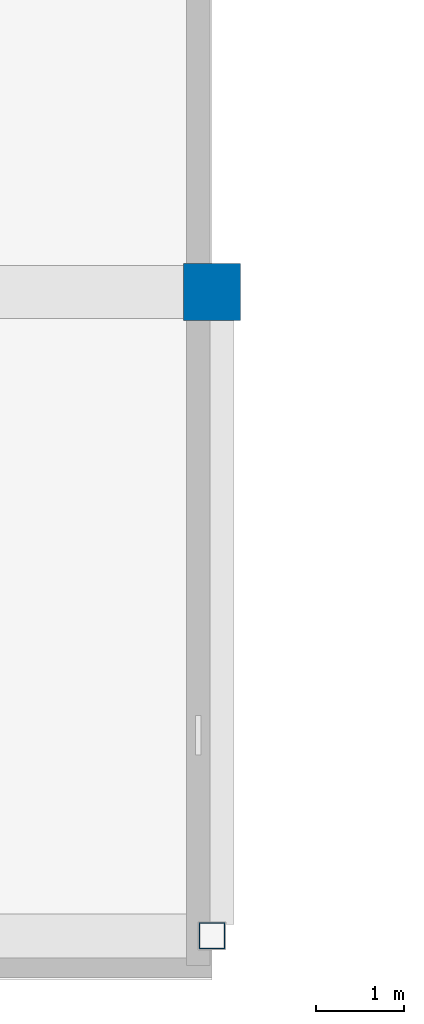
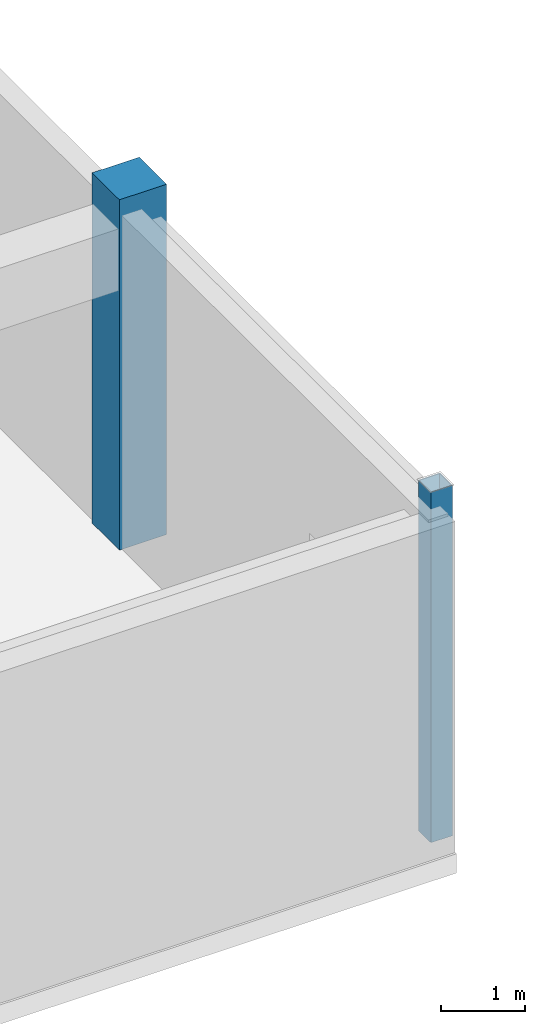
# One storey, part 4 of 103: 2 columns.
"""IFC4 building model written with IfcOpenShell, lengths in metres."""

from ifc_helpers import new_model, si_unit, direction, frame, origin, origin_2d, place, context, subcontext, project, spatial, rectangle, hollow_rectangle, extrude, material, material_profile, profile_set, type_object, element, save


model = new_model("IFC4")

# Units and contexts
model_context = context("Model", 3, precision=1e-05, world=origin(), true_north=direction((0.0, 1.0)))
body_context = subcontext(model_context, "Body", "Model", "MODEL_VIEW")
ifc_project = project(units=[si_unit("LENGTHUNIT", "METRE"), si_unit("AREAUNIT", "SQUARE_METRE"), si_unit("VOLUMEUNIT", "CUBIC_METRE"), si_unit("PLANEANGLEUNIT", "RADIAN"), si_unit("MASSUNIT", "GRAM", prefix="KILO")], contexts=[model_context])

# Site, building, storey
site_placement = place(None, origin())
site = spatial("IfcSite", under=ifc_project, at=site_placement, CompositionType="ELEMENT")
building_placement = place(site_placement, origin())
building = spatial("IfcBuilding", under=site, at=building_placement, Name="Quendrovan Civic Courthouse", CompositionType="ELEMENT")
storey_placement = place(building_placement, frame((0.0, 0.0, 15.300048828125)))
storey = spatial("IfcBuildingStorey", under=building, at=storey_placement, Name="L04", CompositionType="ELEMENT", Elevation=15.300048828125)

# Columns
ifc_material_1 = material(Name="Concrete C45/55", Category="concrete")
ifc_material_profile_1 = material_profile(ifc_material_1, rectangle(XDim=0.64990234375, YDim=0.64990234375, at=origin_2d()), Name="RC-COL-650x650")
ifc_profile_set_1 = profile_set([ifc_material_profile_1], Name="Concrete C45/55")
column_type_1 = type_object("IfcColumnType", Name="COL-RC650", PredefinedType="COLUMN", material=ifc_profile_set_1)
column_1_placement = place(storey_placement, frame((67.199951171875, 7.800048828125, 0.0), z_axis=(0.0, 0.0, 1.0), x_axis=(1.0, 0.0, 0.0)))
element("IfcColumn", 1, at=column_1_placement, inside=storey, type_object=column_type_1, Name="L04 Column 9-B", PredefinedType="COLUMN", context=body_context, shape_type="SweptSolid", body=[
    extrude(rectangle(XDim=0.64990234375, YDim=0.64990234375, at=origin_2d()), origin(), (0.0, 0.0, 1.0), 5.099853515625),
])
ifc_material_2 = material(Name="Steel ASTM A500 Grade C", Category="steel")
ifc_material_profile_2 = material_profile(ifc_material_2, hollow_rectangle(XDim=0.300048828125, YDim=0.300048828125, WallThickness=0.011962890625, at=origin_2d()), Name="HSS300x300x12")
ifc_profile_set_2 = profile_set([ifc_material_profile_2], Name="Steel ASTM A500 Grade C")
column_type_2 = type_object("IfcColumnType", Name="COL-STL-HSS300S", PredefinedType="COLUMN", material=ifc_profile_set_2)
column_2_placement = place(storey_placement, frame((67.199951171875, 0.5, 0.0), z_axis=(0.0, 0.0, 1.0), x_axis=(1.0, 0.0, 0.0)))
element("IfcColumn", 2, at=column_2_placement, inside=storey, type_object=column_type_2, Name="L04 Column 9-A", PredefinedType="COLUMN", context=body_context, shape_type="SweptSolid", body=[
    extrude(hollow_rectangle(XDim=0.300048828125, YDim=0.300048828125, WallThickness=0.011962890625, at=origin_2d()), origin(), (0.0, 0.0, 1.0), 5.099853515625),
])

save(model, "model.ifc")
